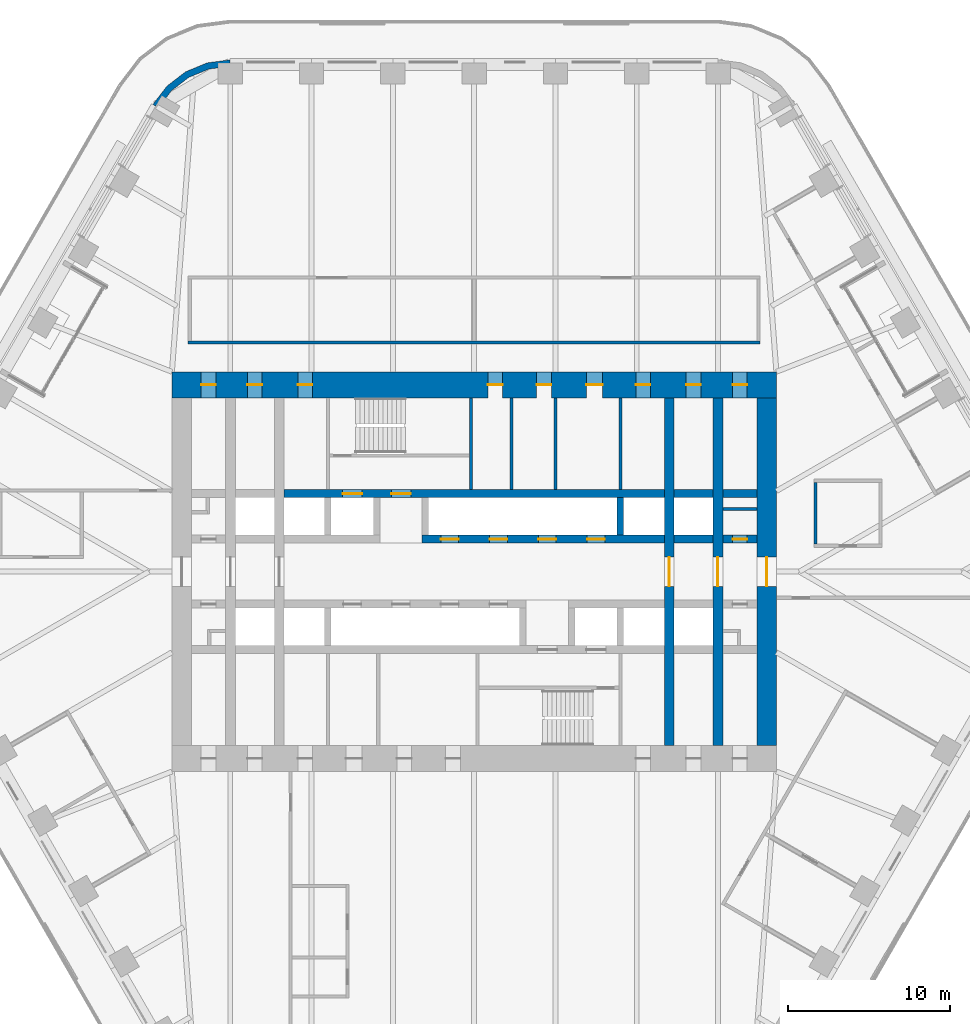
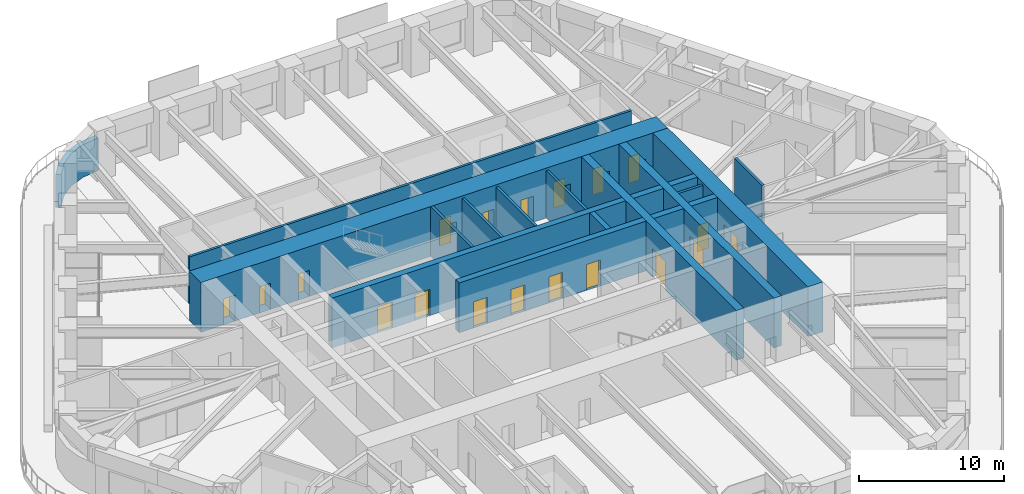
# One storey, part 20 of 24: 19 doors, 19 walls, 19 openings.
"""IFC4 building model written with IfcOpenShell, lengths in metres."""

from ifc_helpers import new_model, si_unit, direction, frame, frame_2d, origin, place, context, subcontext, project, spatial, polyline, rectangle, outline, extrude, material, layer, layer_set, type_object, element, fill, save


model = new_model("IFC4")

# Units and contexts
model_context = context("Model", 3, precision=1e-05, world=origin(), true_north=direction((0.0, 1.0)))
body_context = subcontext(model_context, "Body", "Model", "MODEL_VIEW")
ifc_project = project(units=[si_unit("LENGTHUNIT", "METRE"), si_unit("AREAUNIT", "SQUARE_METRE"), si_unit("VOLUMEUNIT", "CUBIC_METRE"), si_unit("PLANEANGLEUNIT", "RADIAN"), si_unit("MASSUNIT", "GRAM", prefix="KILO")], contexts=[model_context])

# Site, building, storey
site_placement = place(None, origin())
site = spatial("IfcSite", under=ifc_project, at=site_placement, CompositionType="ELEMENT")
building_placement = place(site_placement, origin())
building = spatial("IfcBuilding", under=site, at=building_placement, Name="Tarfa Lantern Tower", CompositionType="ELEMENT")
storey_placement = place(building_placement, frame((0.0, 0.0, 186.699951171875)))
storey = spatial("IfcBuildingStorey", under=building, at=storey_placement, Name="L42", CompositionType="ELEMENT", Elevation=186.699951171875)

# Walls
ifc_material_1 = material(Name="Limestone cladding on blockwork", Category="masonry")
ifc_layer_1 = layer(ifc_material_1, 0.39990234375)
ifc_layer_set_1 = layer_set([ifc_layer_1], Name="EW2 CURVED STONE CORNER 400")
wall_type_1 = type_object("IfcWallType", Name="EW2 CURVED STONE CORNER 400", PredefinedType="SOLIDWALL", material=ifc_layer_set_1)
wall_1_placement = place(storey_placement, origin())
element("IfcWall", 1, at=wall_1_placement, inside=storey, type_object=wall_type_1, Name="Stone corner N-NW", PredefinedType="SOLIDWALL", context=body_context, shape_type="SweptSolid", body=[
    extrude(outline(polyline([(-15.010986328125, 31.5), (-16.4345703125, 31.3125), (-17.760986328125, 30.76318359375), (-18.900146484375, 29.88916015625), (-19.774169921875, 28.75), (-19.427734375, 28.550048828125), (-18.617431640625, 29.606201171875), (-17.56103515625, 30.416748046875), (-16.3310546875, 30.92626953125), (-15.010986328125, 31.10009765625), (-15.010986328125, 31.5)])), origin(), (0.0, 0.0, 1.0), 2.75),
])
ifc_material_2 = material(Name="Concrete blockwork", Category="masonry")
ifc_layer_2 = layer(ifc_material_2, 0.199951171875)
ifc_layer_set_2 = layer_set([ifc_layer_2], Name="IW1 BLOCKWORK PARTITION 200 EI 120")
wall_type_2 = type_object("IfcWallType", Name="IW1 BLOCKWORK PARTITION 200 EI 120", PredefinedType="PARTITIONING", material=ifc_layer_set_2)
for number, where, z_axis, x_axis, name in (
    (2, (9.0, 5.050048828125, 0.0), (0.0, 0.0, 1.0), (0.0, 1.0, 0.0), "Core partition"),
    (3, (2.300048828125, 5.050048828125, 0.0), (0.0, 0.0, 1.0), (0.0, 1.0, 0.0), "Core partition"),
    (4, (5.0, 5.050048828125, 0.0), (0.0, 0.0, 1.0), (0.0, 1.0, 0.0), "Core partition"),
):
    element("IfcWall", number, at=place(storey_placement, frame(where, z_axis=z_axis, x_axis=x_axis)), inside=storey, type_object=wall_type_2, Name=name, PredefinedType="PARTITIONING", context=body_context, shape_type="SweptSolid", body=[
        extrude(rectangle(XDim=5.64990234375, YDim=0.199951171875, at=frame_2d((2.824951171875, 0.0))), origin(), (0.0, 0.0, 1.0), 4.0),
    ])
wall_2_placement = place(storey_placement, frame((15.300048828125, 3.85009765625, 0.0), z_axis=(0.0, 0.0, 1.0), x_axis=(1.0, 0.0, 0.0)))
element("IfcWall", 5, at=wall_2_placement, inside=storey, type_object=wall_type_2, Name="Core partition", PredefinedType="PARTITIONING", context=body_context, shape_type="SweptSolid", body=[
    extrude(rectangle(XDim=2.099853515625, YDim=0.199951171875, at=frame_2d((1.0498046875, 0.0))), origin(), (0.0, 0.0, 1.0), 4.0),
])
ifc_material_3 = material(Name="Gypsum board on steel studs", Category="steel")
ifc_layer_3 = layer(ifc_material_3, 0.2099609375)
ifc_layer_set_3 = layer_set([ifc_layer_3], Name="IW2 ACOUSTIC PARTITION 200")
wall_type_3 = type_object("IfcWallType", Name="IW2 ACOUSTIC PARTITION 200", PredefinedType="PARTITIONING", material=ifc_layer_set_3)
wall_3_placement = place(storey_placement, frame((-17.60009765625, 14.10009765625, 0.0), z_axis=(0.0, 0.0, 1.0), x_axis=(1.0, 0.0, 0.0)))
element("IfcWall", 6, at=wall_3_placement, inside=storey, type_object=wall_type_3, Name="Partition", PredefinedType="PARTITIONING", context=body_context, shape_type="SweptSolid", body=[
    extrude(rectangle(XDim=35.2001953125, YDim=0.199951171875, at=frame_2d((17.60009765625, 0.0))), origin(), (0.0, 0.0, 1.0), 4.0),
])
wall_4_placement = place(storey_placement, frame((21.0, 1.699951171875, 0.0), z_axis=(0.0, 0.0, 1.0), x_axis=(0.0, 1.0, 0.0)))
element("IfcWall", 7, at=wall_4_placement, inside=storey, type_object=wall_type_3, Name="Partition", PredefinedType="PARTITIONING", context=body_context, shape_type="SweptSolid", body=[
    extrude(rectangle(XDim=3.800048828125, YDim=0.199951171875, at=frame_2d((1.89990234375, 0.0))), origin(), (0.0, 0.0, 1.0), 4.0),
])

# Wall, opening, door
ifc_material_4 = material(Name="Concrete C80/95", Category="concrete")
ifc_layer_4 = layer(ifc_material_4, 1.199951171875)
ifc_layer_set_4 = layer_set([ifc_layer_4], Name="SW1 CORE WALL 1200")
wall_type_4 = type_object("IfcWallType", Name="SW1 CORE WALL 1200", PredefinedType="SHEAR", material=ifc_layer_set_4)
wall_5_placement = place(storey_placement, frame((18.0, -10.699951171875, 0.0), z_axis=(0.0, 0.0, 1.0), x_axis=(0.0, 1.0, 0.0)))
wall_5 = element("IfcWall", 8, at=wall_5_placement, inside=storey, type_object=wall_type_4, Name="Core wall E", PredefinedType="SHEAR", context=body_context, shape_type="SweptSolid", body=[
    extrude(rectangle(XDim=21.39990234375, YDim=1.199951171875, at=frame_2d((10.699951171875, 0.0))), origin(), (0.0, 0.0, 1.0), 4.199951171875),
])
opening_1_placement = place(wall_5_placement, frame((9.800048828125, 0.0, 0.0)))
opening_1 = element("IfcOpeningElement", 9, at=opening_1_placement, cuts=wall_5, Name="Opening D15", PredefinedType="OPENING", context=body_context, shape_type="SweptSolid", body=[
    extrude(rectangle(XDim=1.800048828125, YDim=2.39990234375, at=frame_2d((0.89990234375, 1.199951171875))), frame((0.0, 0.60986328125, 0.0), z_axis=(0.0, -1.0, 0.0), x_axis=(1.0, 0.0, 0.0)), (0.0, 0.0, 1.0), 1.219970703125),
])
ifc_material_5 = material(Name="Steel fire door", Category="steel")
door_type_1 = type_object("IfcDoorType", Name="DL1 LOBBY DOOR 1800x2400", OperationType="DOUBLE_DOOR_SINGLE_SWING", PredefinedType="DOOR", material=ifc_material_5)
door_1_placement = place(opening_1_placement, frame((1.800048828125, 0.0, 0.0), z_axis=(0.0, 0.0, 1.0), x_axis=(-1.0, 0.0, 0.0)))
door_1 = element("IfcDoor", 10, at=door_1_placement, inside=storey, type_object=door_type_1, Name="Lift lobby door", OperationType="DOUBLE_DOOR_SINGLE_SWING", OverallHeight=2.39990234375, OverallWidth=1.800048828125, PredefinedType="DOOR", context=body_context, shape_type="SweptSolid", body=[
    extrude(rectangle(XDim=1.800048828125, YDim=2.39990234375, at=frame_2d((0.89990234375, 1.199951171875))), frame((0.0, 0.02490234375, 0.0), z_axis=(0.0, -1.0, 0.0), x_axis=(1.0, 0.0, 0.0)), (0.0, 0.0, 1.0), 0.050048828125),
])
fill(opening_1, door_1)

# Wall
ifc_layer_5 = layer(ifc_material_4, 0.199951171875)
ifc_layer_set_5 = layer_set([ifc_layer_5], Name="SW12 CORE WALL 200")
wall_type_5 = type_object("IfcWallType", Name="SW12 CORE WALL 200", PredefinedType="SHEAR", material=ifc_layer_set_5)
wall_6_placement = place(storey_placement, frame((-0.199951171875, 5.050048828125, 0.0), z_axis=(0.0, 0.0, 1.0), x_axis=(0.0, 1.0, 0.0)))
element("IfcWall", 11, at=wall_6_placement, inside=storey, type_object=wall_type_5, Name="Core wall stair shaft N", PredefinedType="SHEAR", context=body_context, shape_type="SweptSolid", body=[
    extrude(rectangle(XDim=5.64990234375, YDim=0.199951171875, at=frame_2d((2.824951171875, 0.0))), origin(), (0.0, 0.0, 1.0), 4.199951171875),
])

# Wall, openings, doors
ifc_layer_6 = layer(ifc_material_4, 0.5)
ifc_layer_set_6 = layer_set([ifc_layer_6], Name="SW5 CORE WALL 500")
wall_type_6 = type_object("IfcWallType", Name="SW5 CORE WALL 500", PredefinedType="SHEAR", material=ifc_layer_set_6)
wall_7_placement = place(storey_placement, frame((-3.199951171875, 2.0, 0.0), z_axis=(0.0, 0.0, 1.0), x_axis=(1.0, 0.0, 0.0)))
wall_7 = element("IfcWall", 12, at=wall_7_placement, inside=storey, type_object=wall_type_6, Name="Core wall lobby east N", PredefinedType="SHEAR", context=body_context, shape_type="SweptSolid", body=[
    extrude(rectangle(XDim=14.89990234375, YDim=0.5, at=frame_2d((7.449951171875, 0.0))), origin(), (0.0, 0.0, 1.0), 4.199951171875),
])
opening_2_placement = place(wall_7_placement, frame((1.14990234375, 0.0, 0.0)))
opening_2 = element("IfcOpeningElement", 13, at=opening_2_placement, cuts=wall_7, Name="Opening LD03", PredefinedType="OPENING", context=body_context, shape_type="SweptSolid", body=[
    extrude(rectangle(XDim=1.10009765625, YDim=2.199951171875, at=frame_2d((0.550048828125, 1.10009765625))), frame((0.0, 0.260009765625, 0.0), z_axis=(0.0, -1.0, 0.0), x_axis=(1.0, 0.0, 0.0)), (0.0, 0.0, 1.0), 0.52001953125),
])
opening_3_placement = place(wall_7_placement, frame((4.14990234375, 0.0, 0.0)))
opening_3 = element("IfcOpeningElement", 14, at=opening_3_placement, cuts=wall_7, Name="Opening LD04", PredefinedType="OPENING", context=body_context, shape_type="SweptSolid", body=[
    extrude(rectangle(XDim=1.10009765625, YDim=2.199951171875, at=frame_2d((0.550048828125, 1.10009765625))), frame((0.0, 0.260009765625, 0.0), z_axis=(0.0, -1.0, 0.0), x_axis=(1.0, 0.0, 0.0)), (0.0, 0.0, 1.0), 0.52001953125),
])
opening_4_placement = place(wall_7_placement, frame((7.14990234375, 0.0, 0.0)))
opening_4 = element("IfcOpeningElement", 15, at=opening_4_placement, cuts=wall_7, Name="Opening LD05", PredefinedType="OPENING", context=body_context, shape_type="SweptSolid", body=[
    extrude(rectangle(XDim=1.10009765625, YDim=2.199951171875, at=frame_2d((0.550048828125, 1.10009765625))), frame((0.0, 0.260009765625, 0.0), z_axis=(0.0, -1.0, 0.0), x_axis=(1.0, 0.0, 0.0)), (0.0, 0.0, 1.0), 0.52001953125),
])
opening_5_placement = place(wall_7_placement, frame((10.14990234375, 0.0, 0.0)))
opening_5 = element("IfcOpeningElement", 16, at=opening_5_placement, cuts=wall_7, Name="Opening LD06", PredefinedType="OPENING", context=body_context, shape_type="SweptSolid", body=[
    extrude(rectangle(XDim=1.10009765625, YDim=2.199951171875, at=frame_2d((0.550048828125, 1.10009765625))), frame((0.0, 0.260009765625, 0.0), z_axis=(0.0, -1.0, 0.0), x_axis=(1.0, 0.0, 0.0)), (0.0, 0.0, 1.0), 0.52001953125),
])
ifc_material_6 = material(Name="Stainless steel lift door", Category="steel")
door_type_2 = type_object("IfcDoorType", Name="LD2 LIFT LANDING DOOR 1100x2200", OperationType="SLIDING_TO_LEFT", PredefinedType="DOOR", material=ifc_material_6)
door_2_placement = place(opening_2_placement, frame((1.10009765625, 0.0, 0.0), z_axis=(0.0, 0.0, 1.0), x_axis=(-1.0, 0.0, 0.0)))
door_2 = element("IfcDoor", 17, at=door_2_placement, inside=storey, type_object=door_type_2, Name="Landing door PB1", OperationType="SLIDING_TO_LEFT", OverallHeight=2.199951171875, OverallWidth=1.10009765625, PredefinedType="DOOR", context=body_context, shape_type="SweptSolid", body=[
    extrude(rectangle(XDim=1.10009765625, YDim=2.199951171875, at=frame_2d((0.550048828125, 1.10009765625))), frame((0.0, 0.02490234375, 0.0), z_axis=(0.0, -1.0, 0.0), x_axis=(1.0, 0.0, 0.0)), (0.0, 0.0, 1.0), 0.050048828125),
])
fill(opening_2, door_2)
door_3_placement = place(opening_3_placement, frame((1.10009765625, 0.0, 0.0), z_axis=(0.0, 0.0, 1.0), x_axis=(-1.0, 0.0, 0.0)))
door_3 = element("IfcDoor", 18, at=door_3_placement, inside=storey, type_object=door_type_2, Name="Landing door PB2", OperationType="SLIDING_TO_LEFT", OverallHeight=2.199951171875, OverallWidth=1.10009765625, PredefinedType="DOOR", context=body_context, shape_type="SweptSolid", body=[
    extrude(rectangle(XDim=1.10009765625, YDim=2.199951171875, at=frame_2d((0.550048828125, 1.10009765625))), frame((0.0, 0.02490234375, 0.0), z_axis=(0.0, -1.0, 0.0), x_axis=(1.0, 0.0, 0.0)), (0.0, 0.0, 1.0), 0.050048828125),
])
fill(opening_3, door_3)
door_4_placement = place(opening_4_placement, frame((1.10009765625, 0.0, 0.0), z_axis=(0.0, 0.0, 1.0), x_axis=(-1.0, 0.0, 0.0)))
door_4 = element("IfcDoor", 19, at=door_4_placement, inside=storey, type_object=door_type_2, Name="Landing door PB3", OperationType="SLIDING_TO_LEFT", OverallHeight=2.199951171875, OverallWidth=1.10009765625, PredefinedType="DOOR", context=body_context, shape_type="SweptSolid", body=[
    extrude(rectangle(XDim=1.10009765625, YDim=2.199951171875, at=frame_2d((0.550048828125, 1.10009765625))), frame((0.0, 0.02490234375, 0.0), z_axis=(0.0, -1.0, 0.0), x_axis=(1.0, 0.0, 0.0)), (0.0, 0.0, 1.0), 0.050048828125),
])
fill(opening_4, door_4)
door_5_placement = place(opening_5_placement, frame((1.10009765625, 0.0, 0.0), z_axis=(0.0, 0.0, 1.0), x_axis=(-1.0, 0.0, 0.0)))
door_5 = element("IfcDoor", 20, at=door_5_placement, inside=storey, type_object=door_type_2, Name="Landing door PB4", OperationType="SLIDING_TO_LEFT", OverallHeight=2.199951171875, OverallWidth=1.10009765625, PredefinedType="DOOR", context=body_context, shape_type="SweptSolid", body=[
    extrude(rectangle(XDim=1.10009765625, YDim=2.199951171875, at=frame_2d((0.550048828125, 1.10009765625))), frame((0.0, 0.02490234375, 0.0), z_axis=(0.0, -1.0, 0.0), x_axis=(1.0, 0.0, 0.0)), (0.0, 0.0, 1.0), 0.050048828125),
])
fill(opening_5, door_5)

# Wall
wall_8_placement = place(storey_placement, frame((12.300048828125, 2.0, 0.0), z_axis=(0.0, 0.0, 1.0), x_axis=(1.0, 0.0, 0.0)))
element("IfcWall", 21, at=wall_8_placement, inside=storey, type_object=wall_type_6, Name="Core wall lobby east N", PredefinedType="SHEAR", context=body_context, shape_type="SweptSolid", body=[
    extrude(rectangle(XDim=2.39990234375, YDim=0.5, at=frame_2d((1.199951171875, 0.0))), origin(), (0.0, 0.0, 1.0), 4.199951171875),
])

# Wall, opening, door
wall_9_placement = place(storey_placement, frame((15.300048828125, 2.0, 0.0), z_axis=(0.0, 0.0, 1.0), x_axis=(1.0, 0.0, 0.0)))
wall_9 = element("IfcWall", 22, at=wall_9_placement, inside=storey, type_object=wall_type_6, Name="Core wall lobby east N", PredefinedType="SHEAR", context=body_context, shape_type="SweptSolid", body=[
    extrude(rectangle(XDim=2.099853515625, YDim=0.5, at=frame_2d((1.0498046875, 0.0))), origin(), (0.0, 0.0, 1.0), 4.199951171875),
])
opening_6_placement = place(wall_9_placement, frame((0.60009765625, 0.0, 0.0)))
opening_6 = element("IfcOpeningElement", 23, at=opening_6_placement, cuts=wall_9, Name="Opening D17", PredefinedType="OPENING", context=body_context, shape_type="SweptSolid", body=[
    extrude(rectangle(XDim=0.89990234375, YDim=2.199951171875, at=frame_2d((0.449951171875, 1.10009765625))), frame((0.0, 0.260009765625, 0.0), z_axis=(0.0, -1.0, 0.0), x_axis=(1.0, 0.0, 0.0)), (0.0, 0.0, 1.0), 0.52001953125),
])
door_type_3 = type_object("IfcDoorType", Name="DF6 SERVICE ROOM DOOR 900x2200", OperationType="SINGLE_SWING_LEFT", PredefinedType="DOOR", material=ifc_material_5)
door_6_placement = place(opening_6_placement, origin())
door_6 = element("IfcDoor", 24, at=door_6_placement, inside=storey, type_object=door_type_3, Name="Service room door", OperationType="SINGLE_SWING_LEFT", OverallHeight=2.199951171875, OverallWidth=0.89990234375, PredefinedType="DOOR", context=body_context, shape_type="SweptSolid", body=[
    extrude(rectangle(XDim=0.89990234375, YDim=2.199951171875, at=frame_2d((0.449951171875, 1.10009765625))), frame((0.0, 0.02490234375, 0.0), z_axis=(0.0, -1.0, 0.0), x_axis=(1.0, 0.0, 0.0)), (0.0, 0.0, 1.0), 0.050048828125),
])
fill(opening_6, door_6)

# Wall, openings, doors
wall_10_placement = place(storey_placement, frame((-11.699951171875, 4.800048828125, 0.0), z_axis=(0.0, 0.0, 1.0), x_axis=(1.0, 0.0, 0.0)))
wall_10 = element("IfcWall", 25, at=wall_10_placement, inside=storey, type_object=wall_type_6, Name="Core wall rear N", PredefinedType="SHEAR", context=body_context, shape_type="SweptSolid", body=[
    extrude(rectangle(XDim=23.39990234375, YDim=0.5, at=frame_2d((11.699951171875, 0.0))), origin(), (0.0, 0.0, 1.0), 4.199951171875),
])
opening_7_placement = place(wall_10_placement, frame((6.60009765625, 0.0, 0.0)))
opening_7 = element("IfcOpeningElement", 26, at=opening_7_placement, cuts=wall_10, Name="Opening D13", PredefinedType="OPENING", context=body_context, shape_type="SweptSolid", body=[
    extrude(rectangle(XDim=1.199951171875, YDim=2.199951171875, at=frame_2d((0.60009765625, 1.10009765625))), frame((0.0, 0.260009765625, 0.0), z_axis=(0.0, -1.0, 0.0), x_axis=(1.0, 0.0, 0.0)), (0.0, 0.0, 1.0), 0.52001953125),
])
opening_8_placement = place(wall_10_placement, frame((3.60009765625, 0.0, 0.0)))
opening_8 = element("IfcOpeningElement", 27, at=opening_8_placement, cuts=wall_10, Name="Opening LD01", PredefinedType="OPENING", context=body_context, shape_type="SweptSolid", body=[
    extrude(rectangle(XDim=1.199951171875, YDim=2.199951171875, at=frame_2d((0.60009765625, 1.10009765625))), frame((0.0, 0.260009765625, 0.0), z_axis=(0.0, -1.0, 0.0), x_axis=(1.0, 0.0, 0.0)), (0.0, 0.0, 1.0), 0.52001953125),
])
door_type_4 = type_object("IfcDoorType", Name="DF1 FIREFIGHTING LOBBY DOOR 1200x2200", OperationType="SINGLE_SWING_LEFT", PredefinedType="DOOR", material=ifc_material_5)
door_7_placement = place(opening_7_placement, origin())
door_7 = element("IfcDoor", 28, at=door_7_placement, inside=storey, type_object=door_type_4, Name="Firefighting lobby door", OperationType="SINGLE_SWING_LEFT", OverallHeight=2.199951171875, OverallWidth=1.199951171875, PredefinedType="DOOR", context=body_context, shape_type="SweptSolid", body=[
    extrude(rectangle(XDim=1.199951171875, YDim=2.199951171875, at=frame_2d((0.60009765625, 1.10009765625))), frame((0.0, 0.02490234375, 0.0), z_axis=(0.0, -1.0, 0.0), x_axis=(1.0, 0.0, 0.0)), (0.0, 0.0, 1.0), 0.050048828125),
])
fill(opening_7, door_7)
door_type_5 = type_object("IfcDoorType", Name="LD1 LIFT LANDING DOOR 1200x2200", OperationType="SLIDING_TO_LEFT", PredefinedType="DOOR", material=ifc_material_6)
door_8_placement = place(opening_8_placement, origin())
door_8 = element("IfcDoor", 29, at=door_8_placement, inside=storey, type_object=door_type_5, Name="Landing door FL1", OperationType="SLIDING_TO_LEFT", OverallHeight=2.199951171875, OverallWidth=1.199951171875, PredefinedType="DOOR", context=body_context, shape_type="SweptSolid", body=[
    extrude(rectangle(XDim=1.199951171875, YDim=2.199951171875, at=frame_2d((0.60009765625, 1.10009765625))), frame((0.0, 0.02490234375, 0.0), z_axis=(0.0, -1.0, 0.0), x_axis=(1.0, 0.0, 0.0)), (0.0, 0.0, 1.0), 0.050048828125),
])
fill(opening_8, door_8)

# Walls
wall_11_placement = place(storey_placement, frame((12.300048828125, 4.800048828125, 0.0), z_axis=(0.0, 0.0, 1.0), x_axis=(1.0, 0.0, 0.0)))
element("IfcWall", 30, at=wall_11_placement, inside=storey, type_object=wall_type_6, Name="Core wall rear N", PredefinedType="SHEAR", context=body_context, shape_type="SweptSolid", body=[
    extrude(rectangle(XDim=2.39990234375, YDim=0.5, at=frame_2d((1.199951171875, 0.0))), origin(), (0.0, 0.0, 1.0), 4.199951171875),
])
wall_12_placement = place(storey_placement, frame((15.300048828125, 4.800048828125, 0.0), z_axis=(0.0, 0.0, 1.0), x_axis=(1.0, 0.0, 0.0)))
element("IfcWall", 31, at=wall_12_placement, inside=storey, type_object=wall_type_6, Name="Core wall rear N", PredefinedType="SHEAR", context=body_context, shape_type="SweptSolid", body=[
    extrude(rectangle(XDim=2.099853515625, YDim=0.5, at=frame_2d((1.0498046875, 0.0))), origin(), (0.0, 0.0, 1.0), 4.199951171875),
])
ifc_layer_7 = layer(ifc_material_4, 0.39990234375)
ifc_layer_set_7 = layer_set([ifc_layer_7], Name="SW6 CORE WALL 400")
wall_type_7 = type_object("IfcWallType", Name="SW6 CORE WALL 400", PredefinedType="SHEAR", material=ifc_layer_set_7)
wall_13_placement = place(storey_placement, frame((9.0, 2.25, 0.0), z_axis=(0.0, 0.0, 1.0), x_axis=(0.0, 1.0, 0.0)))
element("IfcWall", 32, at=wall_13_placement, inside=storey, type_object=wall_type_7, Name="Core wall divider N", PredefinedType="SHEAR", context=body_context, shape_type="SweptSolid", body=[
    extrude(rectangle(XDim=2.300048828125, YDim=0.39990234375, at=frame_2d((1.14990234375, 0.0))), origin(), (0.0, 0.0, 1.0), 4.199951171875),
])

# Wall, openings, doors
ifc_layer_8 = layer(ifc_material_4, 1.60009765625)
ifc_layer_set_8 = layer_set([ifc_layer_8], Name="SW7 CORE WALL 1600")
wall_type_8 = type_object("IfcWallType", Name="SW7 CORE WALL 1600", PredefinedType="SHEAR", material=ifc_layer_set_8)
wall_14_placement = place(storey_placement, frame((-18.60009765625, 11.5, 0.0), z_axis=(0.0, 0.0, 1.0), x_axis=(1.0, 0.0, 0.0)))
wall_14 = element("IfcWall", 33, at=wall_14_placement, inside=storey, type_object=wall_type_8, Name="Core wall N", PredefinedType="SHEAR", context=body_context, shape_type="SweptSolid", body=[
    extrude(rectangle(XDim=37.2001953125, YDim=1.60009765625, at=frame_2d((18.60009765625, 0.0))), origin(), (0.0, 0.0, 1.0), 4.199951171875),
])
opening_9_placement = place(wall_14_placement, frame((19.449951171875, 0.0, 0.0)))
opening_9 = element("IfcOpeningElement", 34, at=opening_9_placement, cuts=wall_14, Name="Opening D21", PredefinedType="OPENING", context=body_context, shape_type="SweptSolid", body=[
    extrude(rectangle(XDim=0.89990234375, YDim=2.199951171875, at=frame_2d((0.449951171875, 1.10009765625))), frame((0.0, 0.81005859375, 0.0), z_axis=(0.0, -1.0, 0.0), x_axis=(1.0, 0.0, 0.0)), (0.0, 0.0, 1.0), 1.6201171875),
])
opening_10_placement = place(wall_14_placement, frame((22.449951171875, 0.0, 0.0)))
opening_10 = element("IfcOpeningElement", 35, at=opening_10_placement, cuts=wall_14, Name="Opening D23", PredefinedType="OPENING", context=body_context, shape_type="SweptSolid", body=[
    extrude(rectangle(XDim=0.89990234375, YDim=2.199951171875, at=frame_2d((0.449951171875, 1.10009765625))), frame((0.0, 0.81005859375, 0.0), z_axis=(0.0, -1.0, 0.0), x_axis=(1.0, 0.0, 0.0)), (0.0, 0.0, 1.0), 1.6201171875),
])
opening_11_placement = place(wall_14_placement, frame((25.5, 0.0, 0.0)))
opening_11 = element("IfcOpeningElement", 36, at=opening_11_placement, cuts=wall_14, Name="Opening D25", PredefinedType="OPENING", context=body_context, shape_type="SweptSolid", body=[
    extrude(rectangle(XDim=1.0, YDim=2.199951171875, at=frame_2d((0.5, 1.10009765625))), frame((0.0, 0.81005859375, 0.0), z_axis=(0.0, -1.0, 0.0), x_axis=(1.0, 0.0, 0.0)), (0.0, 0.0, 1.0), 1.6201171875),
])
opening_12_placement = place(wall_14_placement, frame((1.800048828125, 0.0, 0.0)))
opening_12 = element("IfcOpeningElement", 37, at=opening_12_placement, cuts=wall_14, Name="Opening D11", PredefinedType="OPENING", context=body_context, shape_type="SweptSolid", body=[
    extrude(rectangle(XDim=0.89990234375, YDim=2.199951171875, at=frame_2d((0.449951171875, 1.10009765625))), frame((0.0, 0.81005859375, 0.0), z_axis=(0.0, -1.0, 0.0), x_axis=(1.0, 0.0, 0.0)), (0.0, 0.0, 1.0), 1.6201171875),
])
opening_13_placement = place(wall_14_placement, frame((4.64990234375, 0.0, 0.0)))
opening_13 = element("IfcOpeningElement", 38, at=opening_13_placement, cuts=wall_14, Name="Opening D07", PredefinedType="OPENING", context=body_context, shape_type="SweptSolid", body=[
    extrude(rectangle(XDim=0.89990234375, YDim=2.199951171875, at=frame_2d((0.449951171875, 1.10009765625))), frame((0.0, 0.81005859375, 0.0), z_axis=(0.0, -1.0, 0.0), x_axis=(1.0, 0.0, 0.0)), (0.0, 0.0, 1.0), 1.6201171875),
])
opening_14_placement = place(wall_14_placement, frame((7.75, 0.0, 0.0)))
opening_14 = element("IfcOpeningElement", 39, at=opening_14_placement, cuts=wall_14, Name="Opening D09", PredefinedType="OPENING", context=body_context, shape_type="SweptSolid", body=[
    extrude(rectangle(XDim=0.89990234375, YDim=2.199951171875, at=frame_2d((0.449951171875, 1.10009765625))), frame((0.0, 0.81005859375, 0.0), z_axis=(0.0, -1.0, 0.0), x_axis=(1.0, 0.0, 0.0)), (0.0, 0.0, 1.0), 1.6201171875),
])
opening_15_placement = place(wall_14_placement, frame((28.550048828125, 0.0, 0.0)))
opening_15 = element("IfcOpeningElement", 40, at=opening_15_placement, cuts=wall_14, Name="Opening D05", PredefinedType="OPENING", context=body_context, shape_type="SweptSolid", body=[
    extrude(rectangle(XDim=0.89990234375, YDim=2.199951171875, at=frame_2d((0.449951171875, 1.10009765625))), frame((0.0, 0.81005859375, 0.0), z_axis=(0.0, -1.0, 0.0), x_axis=(1.0, 0.0, 0.0)), (0.0, 0.0, 1.0), 1.6201171875),
])
opening_16_placement = place(wall_14_placement, frame((31.64990234375, 0.0, 0.0)))
opening_16 = element("IfcOpeningElement", 41, at=opening_16_placement, cuts=wall_14, Name="Opening D01", PredefinedType="OPENING", context=body_context, shape_type="SweptSolid", body=[
    extrude(rectangle(XDim=0.89990234375, YDim=2.199951171875, at=frame_2d((0.449951171875, 1.10009765625))), frame((0.0, 0.81005859375, 0.0), z_axis=(0.0, -1.0, 0.0), x_axis=(1.0, 0.0, 0.0)), (0.0, 0.0, 1.0), 1.6201171875),
])
opening_17_placement = place(wall_14_placement, frame((34.5, 0.0, 0.0)))
opening_17 = element("IfcOpeningElement", 42, at=opening_17_placement, cuts=wall_14, Name="Opening D03", PredefinedType="OPENING", context=body_context, shape_type="SweptSolid", body=[
    extrude(rectangle(XDim=0.89990234375, YDim=2.199951171875, at=frame_2d((0.449951171875, 1.10009765625))), frame((0.0, 0.81005859375, 0.0), z_axis=(0.0, -1.0, 0.0), x_axis=(1.0, 0.0, 0.0)), (0.0, 0.0, 1.0), 1.6201171875),
])
door_type_6 = type_object("IfcDoorType", Name="DF3 CORE ROOM DOOR 900x2200", OperationType="SINGLE_SWING_LEFT", PredefinedType="DOOR", material=ifc_material_5)
door_9_placement = place(opening_9_placement, frame((0.89990234375, 0.0, 0.0), z_axis=(0.0, 0.0, 1.0), x_axis=(-1.0, 0.0, 0.0)))
door_9 = element("IfcDoor", 43, at=door_9_placement, inside=storey, type_object=door_type_6, Name="Core door", OperationType="SINGLE_SWING_RIGHT", OverallHeight=2.199951171875, OverallWidth=0.89990234375, PredefinedType="DOOR", context=body_context, shape_type="SweptSolid", body=[
    extrude(rectangle(XDim=0.89990234375, YDim=2.199951171875, at=frame_2d((0.449951171875, 1.10009765625))), frame((0.0, 0.02490234375, 0.0), z_axis=(0.0, -1.0, 0.0), x_axis=(1.0, 0.0, 0.0)), (0.0, 0.0, 1.0), 0.050048828125),
])
fill(opening_9, door_9)
door_10_placement = place(opening_10_placement, frame((0.89990234375, 0.0, 0.0), z_axis=(0.0, 0.0, 1.0), x_axis=(-1.0, 0.0, 0.0)))
door_10 = element("IfcDoor", 44, at=door_10_placement, inside=storey, type_object=door_type_6, Name="Core door", OperationType="SINGLE_SWING_RIGHT", OverallHeight=2.199951171875, OverallWidth=0.89990234375, PredefinedType="DOOR", context=body_context, shape_type="SweptSolid", body=[
    extrude(rectangle(XDim=0.89990234375, YDim=2.199951171875, at=frame_2d((0.449951171875, 1.10009765625))), frame((0.0, 0.02490234375, 0.0), z_axis=(0.0, -1.0, 0.0), x_axis=(1.0, 0.0, 0.0)), (0.0, 0.0, 1.0), 0.050048828125),
])
fill(opening_10, door_10)
door_type_7 = type_object("IfcDoorType", Name="DF4 CORE ROOM DOOR 1000x2200", OperationType="SINGLE_SWING_LEFT", PredefinedType="DOOR", material=ifc_material_5)
door_11_placement = place(opening_11_placement, frame((1.0, 0.0, 0.0), z_axis=(0.0, 0.0, 1.0), x_axis=(-1.0, 0.0, 0.0)))
door_11 = element("IfcDoor", 45, at=door_11_placement, inside=storey, type_object=door_type_7, Name="Core door", OperationType="SINGLE_SWING_RIGHT", OverallHeight=2.199951171875, OverallWidth=1.0, PredefinedType="DOOR", context=body_context, shape_type="SweptSolid", body=[
    extrude(rectangle(XDim=1.0, YDim=2.199951171875, at=frame_2d((0.5, 1.10009765625))), frame((0.0, 0.02490234375, 0.0), z_axis=(0.0, -1.0, 0.0), x_axis=(1.0, 0.0, 0.0)), (0.0, 0.0, 1.0), 0.050048828125),
])
fill(opening_11, door_11)
door_type_8 = type_object("IfcDoorType", Name="DF5 RISER DOOR 900x2200", OperationType="SINGLE_SWING_LEFT", PredefinedType="DOOR", material=ifc_material_5)
door_12_placement = place(opening_12_placement, frame((0.89990234375, 0.0, 0.0), z_axis=(0.0, 0.0, 1.0), x_axis=(-1.0, 0.0, 0.0)))
door_12 = element("IfcDoor", 46, at=door_12_placement, inside=storey, type_object=door_type_8, Name="Riser door", OperationType="SINGLE_SWING_LEFT", OverallHeight=2.199951171875, OverallWidth=0.89990234375, PredefinedType="DOOR", context=body_context, shape_type="SweptSolid", body=[
    extrude(rectangle(XDim=0.89990234375, YDim=2.199951171875, at=frame_2d((0.449951171875, 1.10009765625))), frame((0.0, 0.02490234375, 0.0), z_axis=(0.0, -1.0, 0.0), x_axis=(1.0, 0.0, 0.0)), (0.0, 0.0, 1.0), 0.050048828125),
])
fill(opening_12, door_12)
door_13_placement = place(opening_13_placement, frame((0.89990234375, 0.0, 0.0), z_axis=(0.0, 0.0, 1.0), x_axis=(-1.0, 0.0, 0.0)))
door_13 = element("IfcDoor", 47, at=door_13_placement, inside=storey, type_object=door_type_8, Name="Riser door", OperationType="SINGLE_SWING_LEFT", OverallHeight=2.199951171875, OverallWidth=0.89990234375, PredefinedType="DOOR", context=body_context, shape_type="SweptSolid", body=[
    extrude(rectangle(XDim=0.89990234375, YDim=2.199951171875, at=frame_2d((0.449951171875, 1.10009765625))), frame((0.0, 0.02490234375, 0.0), z_axis=(0.0, -1.0, 0.0), x_axis=(1.0, 0.0, 0.0)), (0.0, 0.0, 1.0), 0.050048828125),
])
fill(opening_13, door_13)
door_14_placement = place(opening_14_placement, frame((0.89990234375, 0.0, 0.0), z_axis=(0.0, 0.0, 1.0), x_axis=(-1.0, 0.0, 0.0)))
door_14 = element("IfcDoor", 48, at=door_14_placement, inside=storey, type_object=door_type_8, Name="Riser door", OperationType="SINGLE_SWING_LEFT", OverallHeight=2.199951171875, OverallWidth=0.89990234375, PredefinedType="DOOR", context=body_context, shape_type="SweptSolid", body=[
    extrude(rectangle(XDim=0.89990234375, YDim=2.199951171875, at=frame_2d((0.449951171875, 1.10009765625))), frame((0.0, 0.02490234375, 0.0), z_axis=(0.0, -1.0, 0.0), x_axis=(1.0, 0.0, 0.0)), (0.0, 0.0, 1.0), 0.050048828125),
])
fill(opening_14, door_14)
door_15_placement = place(opening_15_placement, frame((0.89990234375, 0.0, 0.0), z_axis=(0.0, 0.0, 1.0), x_axis=(-1.0, 0.0, 0.0)))
door_15 = element("IfcDoor", 49, at=door_15_placement, inside=storey, type_object=door_type_8, Name="Riser door", OperationType="SINGLE_SWING_RIGHT", OverallHeight=2.199951171875, OverallWidth=0.89990234375, PredefinedType="DOOR", context=body_context, shape_type="SweptSolid", body=[
    extrude(rectangle(XDim=0.89990234375, YDim=2.199951171875, at=frame_2d((0.449951171875, 1.10009765625))), frame((0.0, 0.02490234375, 0.0), z_axis=(0.0, -1.0, 0.0), x_axis=(1.0, 0.0, 0.0)), (0.0, 0.0, 1.0), 0.050048828125),
])
fill(opening_15, door_15)
door_16_placement = place(opening_16_placement, frame((0.89990234375, 0.0, 0.0), z_axis=(0.0, 0.0, 1.0), x_axis=(-1.0, 0.0, 0.0)))
door_16 = element("IfcDoor", 50, at=door_16_placement, inside=storey, type_object=door_type_8, Name="Riser door", OperationType="SINGLE_SWING_RIGHT", OverallHeight=2.199951171875, OverallWidth=0.89990234375, PredefinedType="DOOR", context=body_context, shape_type="SweptSolid", body=[
    extrude(rectangle(XDim=0.89990234375, YDim=2.199951171875, at=frame_2d((0.449951171875, 1.10009765625))), frame((0.0, 0.02490234375, 0.0), z_axis=(0.0, -1.0, 0.0), x_axis=(1.0, 0.0, 0.0)), (0.0, 0.0, 1.0), 0.050048828125),
])
fill(opening_16, door_16)
door_17_placement = place(opening_17_placement, frame((0.89990234375, 0.0, 0.0), z_axis=(0.0, 0.0, 1.0), x_axis=(-1.0, 0.0, 0.0)))
door_17 = element("IfcDoor", 51, at=door_17_placement, inside=storey, type_object=door_type_8, Name="Riser door", OperationType="SINGLE_SWING_RIGHT", OverallHeight=2.199951171875, OverallWidth=0.89990234375, PredefinedType="DOOR", context=body_context, shape_type="SweptSolid", body=[
    extrude(rectangle(XDim=0.89990234375, YDim=2.199951171875, at=frame_2d((0.449951171875, 1.10009765625))), frame((0.0, 0.02490234375, 0.0), z_axis=(0.0, -1.0, 0.0), x_axis=(1.0, 0.0, 0.0)), (0.0, 0.0, 1.0), 0.050048828125),
])
fill(opening_17, door_17)

# Wall, opening, door
ifc_layer_9 = layer(ifc_material_4, 0.60009765625)
ifc_layer_set_9 = layer_set([ifc_layer_9], Name="SW9 CORE WALL 600")
wall_type_9 = type_object("IfcWallType", Name="SW9 CORE WALL 600", PredefinedType="SHEAR", material=ifc_layer_set_9)
wall_15_placement = place(storey_placement, frame((12.0, -10.699951171875, 0.0), z_axis=(0.0, 0.0, 1.0), x_axis=(0.0, 1.0, 0.0)))
wall_15 = element("IfcWall", 52, at=wall_15_placement, inside=storey, type_object=wall_type_9, Name="Core wall cross 12 m east", PredefinedType="SHEAR", context=body_context, shape_type="SweptSolid", body=[
    extrude(rectangle(XDim=21.39990234375, YDim=0.60009765625, at=frame_2d((10.699951171875, 0.0))), origin(), (0.0, 0.0, 1.0), 4.199951171875),
])
opening_18_placement = place(wall_15_placement, frame((9.800048828125, 0.0, 0.0)))
opening_18 = element("IfcOpeningElement", 53, at=opening_18_placement, cuts=wall_15, Name="Opening D29", PredefinedType="OPENING", context=body_context, shape_type="SweptSolid", body=[
    extrude(rectangle(XDim=1.800048828125, YDim=2.39990234375, at=frame_2d((0.89990234375, 1.199951171875))), frame((0.0, 0.31005859375, 0.0), z_axis=(0.0, -1.0, 0.0), x_axis=(1.0, 0.0, 0.0)), (0.0, 0.0, 1.0), 0.6201171875),
])
door_18_placement = place(opening_18_placement, origin())
door_18 = element("IfcDoor", 54, at=door_18_placement, inside=storey, type_object=door_type_1, Name="Lift lobby door", OperationType="DOUBLE_DOOR_SINGLE_SWING", OverallHeight=2.39990234375, OverallWidth=1.800048828125, PredefinedType="DOOR", context=body_context, shape_type="SweptSolid", body=[
    extrude(rectangle(XDim=1.800048828125, YDim=2.39990234375, at=frame_2d((0.89990234375, 1.199951171875))), frame((0.0, 0.02490234375, 0.0), z_axis=(0.0, -1.0, 0.0), x_axis=(1.0, 0.0, 0.0)), (0.0, 0.0, 1.0), 0.050048828125),
])
fill(opening_18, door_18)

wall_16_placement = place(storey_placement, frame((15.0, -10.699951171875, 0.0), z_axis=(0.0, 0.0, 1.0), x_axis=(0.0, 1.0, 0.0)))
wall_16 = element("IfcWall", 55, at=wall_16_placement, inside=storey, type_object=wall_type_9, Name="Core wall cross 15 m east", PredefinedType="SHEAR", context=body_context, shape_type="SweptSolid", body=[
    extrude(rectangle(XDim=21.39990234375, YDim=0.60009765625, at=frame_2d((10.699951171875, 0.0))), origin(), (0.0, 0.0, 1.0), 4.199951171875),
])
opening_19_placement = place(wall_16_placement, frame((9.800048828125, 0.0, 0.0)))
opening_19 = element("IfcOpeningElement", 56, at=opening_19_placement, cuts=wall_16, Name="Opening D30", PredefinedType="OPENING", context=body_context, shape_type="SweptSolid", body=[
    extrude(rectangle(XDim=1.800048828125, YDim=2.39990234375, at=frame_2d((0.89990234375, 1.199951171875))), frame((0.0, 0.31005859375, 0.0), z_axis=(0.0, -1.0, 0.0), x_axis=(1.0, 0.0, 0.0)), (0.0, 0.0, 1.0), 0.6201171875),
])
door_19_placement = place(opening_19_placement, origin())
door_19 = element("IfcDoor", 57, at=door_19_placement, inside=storey, type_object=door_type_1, Name="Lift lobby door", OperationType="DOUBLE_DOOR_SINGLE_SWING", OverallHeight=2.39990234375, OverallWidth=1.800048828125, PredefinedType="DOOR", context=body_context, shape_type="SweptSolid", body=[
    extrude(rectangle(XDim=1.800048828125, YDim=2.39990234375, at=frame_2d((0.89990234375, 1.199951171875))), frame((0.0, 0.02490234375, 0.0), z_axis=(0.0, -1.0, 0.0), x_axis=(1.0, 0.0, 0.0)), (0.0, 0.0, 1.0), 0.050048828125),
])
fill(opening_19, door_19)

save(model, "model.ifc")
